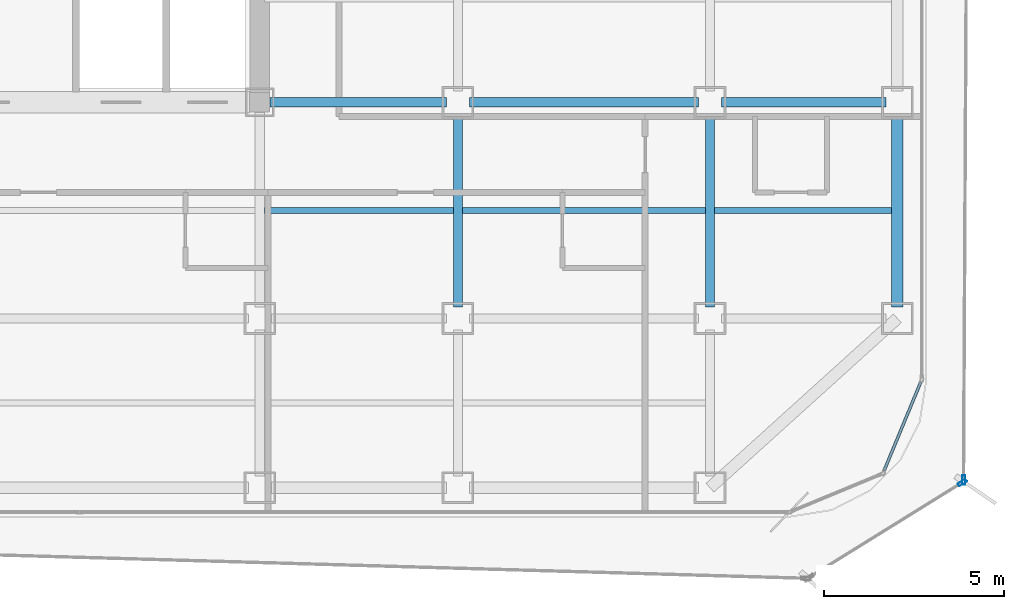
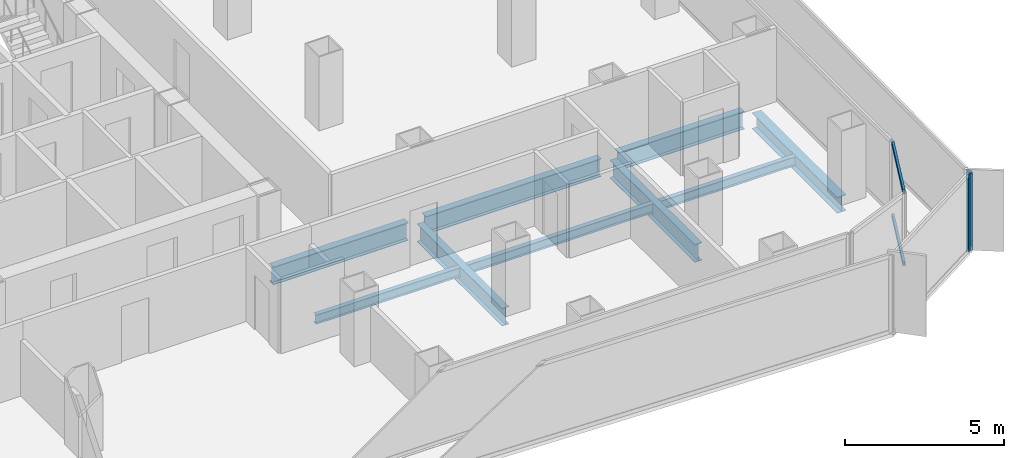
# One storey, part 7 of 21: 9 beams, 4 members, 3 elements without a shape of their own.
"""IFC4 building model written with IfcOpenShell, lengths in metres."""

from ifc_helpers import new_model, si_unit, direction, frame, origin, origin_2d, place, context, subcontext, project, spatial, hollow_rectangle, i_section, extrude, source, transform, mapped, material, layer, layer_set, material_profile, profile_set, type_object, element, aggregate, save


model = new_model("IFC4")

# Units and contexts
model_context = context("Model", 3, precision=1e-05, world=origin(), true_north=direction((0.0, 1.0)))
body_context = subcontext(model_context, "Body", "Model", "MODEL_VIEW")
ifc_project = project(units=[si_unit("LENGTHUNIT", "METRE"), si_unit("AREAUNIT", "SQUARE_METRE"), si_unit("VOLUMEUNIT", "CUBIC_METRE"), si_unit("PLANEANGLEUNIT", "RADIAN"), si_unit("MASSUNIT", "GRAM", prefix="KILO")], contexts=[model_context])

# Site, building, storey
site_placement = place(None, origin())
site = spatial("IfcSite", under=ifc_project, at=site_placement, CompositionType="ELEMENT")
building_placement = place(site_placement, origin())
building = spatial("IfcBuilding", under=site, at=building_placement, Name="Kolveth Station Tower", CompositionType="ELEMENT")
storey_placement = place(building_placement, frame((0.0, 0.0, 148.39990234375)))
storey = spatial("IfcBuildingStorey", under=building, at=storey_placement, Name="L41", CompositionType="ELEMENT", Elevation=148.39990234375)

# Beams
ifc_material_1 = material(Name="Steel S355", Category="steel")
ifc_material_profile_1 = material_profile(ifc_material_1, i_section(OverallWidth=0.323974609375, OverallDepth=0.611083984375, WebThickness=0.0126953125, FlangeThickness=0.01904296875, at=origin_2d()), Name="W610x155")
ifc_profile_set_1 = profile_set([ifc_material_profile_1], Name="Steel S355")
beam_type_1 = type_object("IfcBeamType", Name="Beam_SP2", PredefinedType="SPANDREL", material=ifc_profile_set_1)
shared_shape_1 = source(origin(), body_context, "Body", "SweptSolid", [
    extrude(i_section(OverallWidth=0.323974609375, OverallDepth=0.611083984375, WebThickness=0.0126953125, FlangeThickness=0.01904296875, at=origin_2d()), origin(), (0.0, 0.0, 1.0), 5.35986328125),
])
beam_1_placement = place(storey_placement, frame((46.199951171875, 5.820068359375, -0.555419921875), z_axis=(0.0, 1.0, 0.0), x_axis=(-1.0, 0.0, 0.0)))
element("IfcBeam", 1, at=beam_1_placement, inside=storey, type_object=beam_type_1, Name="L41 Perimeter Spandrel BM-L41-PE-1", PredefinedType="SPANDREL", context=body_context, shape_type="MappedRepresentation", body=[
    mapped(shared_shape_1, transform((0.0, 0.0, 0.0), x_axis=(1.0, 0.0, 0.0), y_axis=(0.0, 1.0, 0.0), z_axis=(0.0, 0.0, 1.0), scale=1.0)),
])
ifc_material_profile_2 = material_profile(ifc_material_1, i_section(OverallWidth=0.25390625, OverallDepth=0.68798828125, WebThickness=0.01318359375, FlangeThickness=0.02099609375, at=origin_2d()), Name="W690x152")
ifc_profile_set_2 = profile_set([ifc_material_profile_2], Name="Steel S355")
beam_type_2 = type_object("IfcBeamType", Name="Beam_B4", PredefinedType="BEAM", material=ifc_profile_set_2)
shared_shape_2 = source(origin(), body_context, "Body", "SweptSolid", [
    extrude(i_section(OverallWidth=0.25390625, OverallDepth=0.68798828125, WebThickness=0.01318359375, FlangeThickness=0.02099609375, at=origin_2d()), origin(), (0.0, 0.0, 1.0), 4.559814453125),
])
beam_2_placement = place(storey_placement, frame((41.320068359375, 11.5, -0.593994140625), z_axis=(1.0, 0.0, 0.0), x_axis=(0.0, 1.0, 0.0)))
element("IfcBeam", 2, at=beam_2_placement, inside=storey, type_object=beam_type_2, Name="L41 Primary Girder BM-L41-GY115-7", PredefinedType="BEAM", context=body_context, shape_type="MappedRepresentation", body=[
    mapped(shared_shape_2, transform((0.0, 0.0, 0.0), x_axis=(1.0, 0.0, 0.0), y_axis=(0.0, 1.0, 0.0), z_axis=(0.0, 0.0, 1.0), scale=1.0)),
])
shared_shape_3 = source(origin(), body_context, "Body", "SweptSolid", [
    extrude(i_section(OverallWidth=0.25390625, OverallDepth=0.68798828125, WebThickness=0.01318359375, FlangeThickness=0.02099609375, at=origin_2d()), origin(), (0.0, 0.0, 1.0), 6.35986328125),
])
beam_3_placement = place(storey_placement, frame((34.320068359375, 11.5, -0.593994140625), z_axis=(1.0, 0.0, 0.0), x_axis=(0.0, 1.0, 0.0)))
element("IfcBeam", 3, at=beam_3_placement, inside=storey, type_object=beam_type_2, Name="L41 Primary Girder BM-L41-GY115-6", PredefinedType="BEAM", context=body_context, shape_type="MappedRepresentation", body=[
    mapped(shared_shape_3, transform((0.0, 0.0, 0.0), x_axis=(1.0, 0.0, 0.0), y_axis=(0.0, 1.0, 0.0), z_axis=(0.0, 0.0, 1.0), scale=1.0)),
])
shared_shape_4 = source(origin(), body_context, "Body", "SweptSolid", [
    extrude(i_section(OverallWidth=0.25390625, OverallDepth=0.68798828125, WebThickness=0.01318359375, FlangeThickness=0.02099609375, at=origin_2d()), origin(), (0.0, 0.0, 1.0), 4.89990234375),
])
beam_4_placement = place(storey_placement, frame((28.780029296875, 11.5, -0.593994140625), z_axis=(1.0, 0.0, 0.0), x_axis=(0.0, 1.0, 0.0)))
element("IfcBeam", 4, at=beam_4_placement, inside=storey, type_object=beam_type_2, Name="L41 Primary Girder BM-L41-GY115-5", PredefinedType="BEAM", context=body_context, shape_type="MappedRepresentation", body=[
    mapped(shared_shape_4, transform((0.0, 0.0, 0.0), x_axis=(1.0, 0.0, 0.0), y_axis=(0.0, 1.0, 0.0), z_axis=(0.0, 0.0, 1.0), scale=1.0)),
])
shared_shape_5 = source(origin(), body_context, "Body", "SweptSolid", [
    extrude(i_section(OverallWidth=0.25390625, OverallDepth=0.68798828125, WebThickness=0.01318359375, FlangeThickness=0.02099609375, at=origin_2d()), origin(), (0.0, 0.0, 1.0), 5.35986328125),
])
for number, where, z_axis, x_axis, name in (
    (5, (34.0, 5.820068359375, -0.593994140625), (0.0, 1.0, 0.0), (-1.0, 0.0, 0.0), "L41 Primary Girder BM-L41-GX340-2"),
    (6, (41.0, 5.820068359375, -0.593994140625), (0.0, 1.0, 0.0), (-1.0, 0.0, 0.0), "L41 Primary Girder BM-L41-GX410-2"),
):
    element("IfcBeam", number, at=place(storey_placement, frame(where, z_axis=z_axis, x_axis=x_axis)), inside=storey, type_object=beam_type_2, Name=name, PredefinedType="BEAM", context=body_context, shape_type="MappedRepresentation", body=[
        mapped(shared_shape_5, transform((0.0, 0.0, 0.0), x_axis=(1.0, 0.0, 0.0), y_axis=(0.0, 1.0, 0.0), z_axis=(0.0, 0.0, 1.0), scale=1.0)),
    ])
ifc_material_profile_3 = material_profile(ifc_material_1, i_section(OverallWidth=0.1708984375, OverallDepth=0.35205078125, WebThickness=0.0068359375, FlangeThickness=0.009765625, at=origin_2d()), Name="W360x44")
ifc_profile_set_3 = profile_set([ifc_material_profile_3], Name="Steel S355")
beam_type_3 = type_object("IfcBeamType", Name="Beam_J2", PredefinedType="JOIST", material=ifc_profile_set_3)
shared_shape_6 = source(origin(), body_context, "Body", "SweptSolid", [
    extrude(i_section(OverallWidth=0.1708984375, OverallDepth=0.35205078125, WebThickness=0.0068359375, FlangeThickness=0.009765625, at=origin_2d()), origin(), (0.0, 0.0, 1.0), 4.9150390625),
])
beam_5_placement = place(storey_placement, frame((41.125, 8.5, -0.42578125), z_axis=(1.0, 0.0, 0.0), x_axis=(0.0, 1.0, 0.0)))
element("IfcBeam", 7, at=beam_5_placement, inside=storey, type_object=beam_type_3, Name="L41 Secondary Joist JST-L41-7-2", PredefinedType="JOIST", context=body_context, shape_type="MappedRepresentation", body=[
    mapped(shared_shape_6, transform((0.0, 0.0, 0.0), x_axis=(1.0, 0.0, 0.0), y_axis=(0.0, 1.0, 0.0), z_axis=(0.0, 0.0, 1.0), scale=1.0)),
])
shared_shape_7 = source(origin(), body_context, "Body", "SweptSolid", [
    extrude(i_section(OverallWidth=0.1708984375, OverallDepth=0.35205078125, WebThickness=0.0068359375, FlangeThickness=0.009765625, at=origin_2d()), origin(), (0.0, 0.0, 1.0), 6.75),
])
beam_6_placement = place(storey_placement, frame((34.125, 8.5, -0.42578125), z_axis=(1.0, 0.0, 0.0), x_axis=(0.0, 1.0, 0.0)))
element("IfcBeam", 8, at=beam_6_placement, inside=storey, type_object=beam_type_3, Name="L41 Secondary Joist JST-L41-6-2", PredefinedType="JOIST", context=body_context, shape_type="MappedRepresentation", body=[
    mapped(shared_shape_7, transform((0.0, 0.0, 0.0), x_axis=(1.0, 0.0, 0.0), y_axis=(0.0, 1.0, 0.0), z_axis=(0.0, 0.0, 1.0), scale=1.0)),
])
shared_shape_8 = source(origin(), body_context, "Body", "SweptSolid", [
    extrude(i_section(OverallWidth=0.1708984375, OverallDepth=0.35205078125, WebThickness=0.0068359375, FlangeThickness=0.009765625, at=origin_2d()), origin(), (0.0, 0.0, 1.0), 5.25),
])
beam_7_placement = place(storey_placement, frame((28.625, 8.5, -0.42578125), z_axis=(1.0, 0.0, 0.0), x_axis=(0.0, 1.0, 0.0)))
element("IfcBeam", 9, at=beam_7_placement, inside=storey, type_object=beam_type_3, Name="L41 Secondary Joist JST-L41-5-2", PredefinedType="JOIST", context=body_context, shape_type="MappedRepresentation", body=[
    mapped(shared_shape_8, transform((0.0, 0.0, 0.0), x_axis=(1.0, 0.0, 0.0), y_axis=(0.0, 1.0, 0.0), z_axis=(0.0, 0.0, 1.0), scale=1.0)),
])

# Curtain wall, members
ifc_material_2 = material(Name="Aluminium 6063-T6 and low-E dark glass", Category="aluminium")
ifc_layer_1 = layer(ifc_material_2, 0.18994140625)
ifc_layer_set_1 = layer_set([ifc_layer_1], Name="Aluminium 6063-T6 and low-E dark glass")
curtain_wall_type_1 = type_object("IfcCurtainWallType", Name="CurtainWall_CW-Z2", PredefinedType="NOTDEFINED", material=ifc_layer_set_1)
curtain_wall_1_placement = place(storey_placement, origin())
curtain_wall_1 = element("IfcCurtainWall", 10, at=curtain_wall_1_placement, inside=storey, type_object=curtain_wall_type_1, Name="L41 Inner Thermal Curtain Wall 2", PredefinedType="NOTDEFINED")
ifc_material_3 = material(Name="Black anodized aluminium 6063-T6", Category="aluminium")
ifc_material_profile_4 = material_profile(ifc_material_3, hollow_rectangle(XDim=0.080078125, YDim=0.169921875, WallThickness=0.0048828125, at=origin_2d()), Name="ALU-80x170x5")
ifc_profile_set_4 = profile_set([ifc_material_profile_4], Name="Black anodized aluminium 6063-T6")
member_type_1 = type_object("IfcMemberType", Name="Transom_TR2", PredefinedType="USERDEFINED", material=ifc_profile_set_4)
shared_shape_9 = source(origin(), body_context, "Body", "SweptSolid", [
    extrude(hollow_rectangle(XDim=0.080078125, YDim=0.169921875, WallThickness=0.0048828125, at=origin_2d()), origin(), (0.0, 0.0, 1.0), 2.656494140625),
])
member_1_placement = place(storey_placement, frame((45.832763671875, 1.271728515625, 0.0400390625), z_axis=(0.382676455475, 0.923882422403, 0.0), x_axis=(-0.923882422403, 0.382676455475, 0.0)))
member_1 = element("IfcMember", 11, at=member_1_placement, type_object=member_type_1, Name="CW-Z2 transom 1.1", ObjectType="TRANSOM", PredefinedType="USERDEFINED", context=body_context, shape_type="MappedRepresentation", body=[
    mapped(shared_shape_9, transform((0.0, 0.0, 0.0), x_axis=(1.0, 0.0, 0.0), y_axis=(0.0, 1.0, 0.0), z_axis=(0.0, 0.0, 1.0), scale=1.0)),
])
member_2_placement = place(storey_placement, frame((45.832763671875, 1.271728515625, 2.800048828125), z_axis=(0.382676455475, 0.923882422403, 0.0), x_axis=(-0.923882422403, 0.382676455475, 0.0)))
member_2 = element("IfcMember", 12, at=member_2_placement, type_object=member_type_1, Name="CW-Z2 transom 1.2", ObjectType="TRANSOM", PredefinedType="USERDEFINED", context=body_context, shape_type="MappedRepresentation", body=[
    mapped(shared_shape_9, transform((0.0, 0.0, 0.0), x_axis=(1.0, 0.0, 0.0), y_axis=(0.0, 1.0, 0.0), z_axis=(0.0, 0.0, 1.0), scale=1.0)),
])
aggregate(curtain_wall_1, [member_1, member_2])

# Curtain wall, member
ifc_material_4 = material(Name="Black anodized aluminium 6063-T6 and dark solar glass", Category="aluminium")
ifc_layer_2 = layer(ifc_material_4, 0.159912109375)
ifc_layer_set_2 = layer_set([ifc_layer_2], Name="Black anodized aluminium 6063-T6 and dark solar glass")
curtain_wall_type_2 = type_object("IfcCurtainWallType", Name="OUTER SKIN CW-OS", PredefinedType="NOTDEFINED", material=ifc_layer_set_2)
curtain_wall_2_placement = place(storey_placement, origin())
curtain_wall_2 = element("IfcCurtainWall", 13, at=curtain_wall_2_placement, inside=storey, type_object=curtain_wall_type_2, Name="L41 Outer Ventilated Skin Curtain Wall 1", PredefinedType="NOTDEFINED")
ifc_material_profile_5 = material_profile(ifc_material_3, hollow_rectangle(XDim=0.090087890625, YDim=0.260009765625, WallThickness=0.0048828125, at=origin_2d()), Name="ALU-90x260x5")
ifc_profile_set_5 = profile_set([ifc_material_profile_5], Name="Black anodized aluminium 6063-T6")
member_type_2 = type_object("IfcMemberType", Name="FIN MULLION ML-OS", PredefinedType="MULLION", material=ifc_profile_set_5)
shared_shape_10 = source(origin(), body_context, "Body", "SweptSolid", [
    extrude(hollow_rectangle(XDim=0.090087890625, YDim=0.260009765625, WallThickness=0.0048828125, at=origin_2d()), origin(), (0.0, 0.0, 1.0), 2.989990234375),
])
member_3_placement = place(storey_placement, frame((48.005615234375, 0.941650390625, 0.0), z_axis=(0.0, 0.0, 1.0), x_axis=(-0.527055262541, 0.849831012747, 0.0)))
member_3 = element("IfcMember", 14, at=member_3_placement, type_object=member_type_2, Name="CW-OS mullion 2", PredefinedType="MULLION", context=body_context, shape_type="MappedRepresentation", body=[
    mapped(shared_shape_10, transform((0.0, 0.0, 0.0), x_axis=(1.0, 0.0, 0.0), y_axis=(0.0, 1.0, 0.0), z_axis=(0.0, 0.0, 1.0), scale=1.0)),
])
aggregate(curtain_wall_2, [member_3])

curtain_wall_3_placement = place(storey_placement, origin())
curtain_wall_3 = element("IfcCurtainWall", 15, at=curtain_wall_3_placement, inside=storey, type_object=curtain_wall_type_2, Name="L41 Outer Ventilated Skin Curtain Wall 2", PredefinedType="NOTDEFINED")
member_4_placement = place(storey_placement, frame((48.0439453125, 1.01025390625, 0.0), z_axis=(0.0, 0.0, 1.0), x_axis=(-0.999985919454, 0.005306683782, 0.0)))
member_4 = element("IfcMember", 16, at=member_4_placement, type_object=member_type_2, Name="CW-OS mullion 1", PredefinedType="MULLION", context=body_context, shape_type="MappedRepresentation", body=[
    mapped(shared_shape_10, transform((0.0, 0.0, 0.0), x_axis=(1.0, 0.0, 0.0), y_axis=(0.0, 1.0, 0.0), z_axis=(0.0, 0.0, 1.0), scale=1.0)),
])
aggregate(curtain_wall_3, [member_4])

save(model, "model.ifc")
